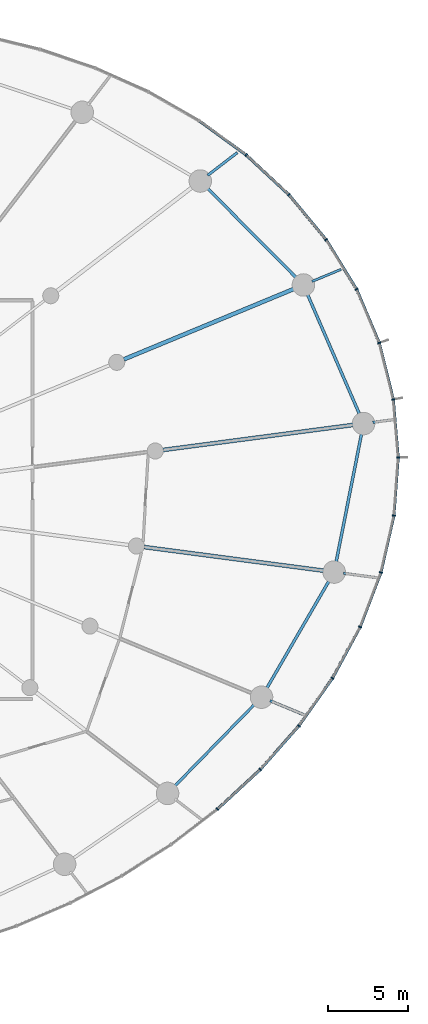
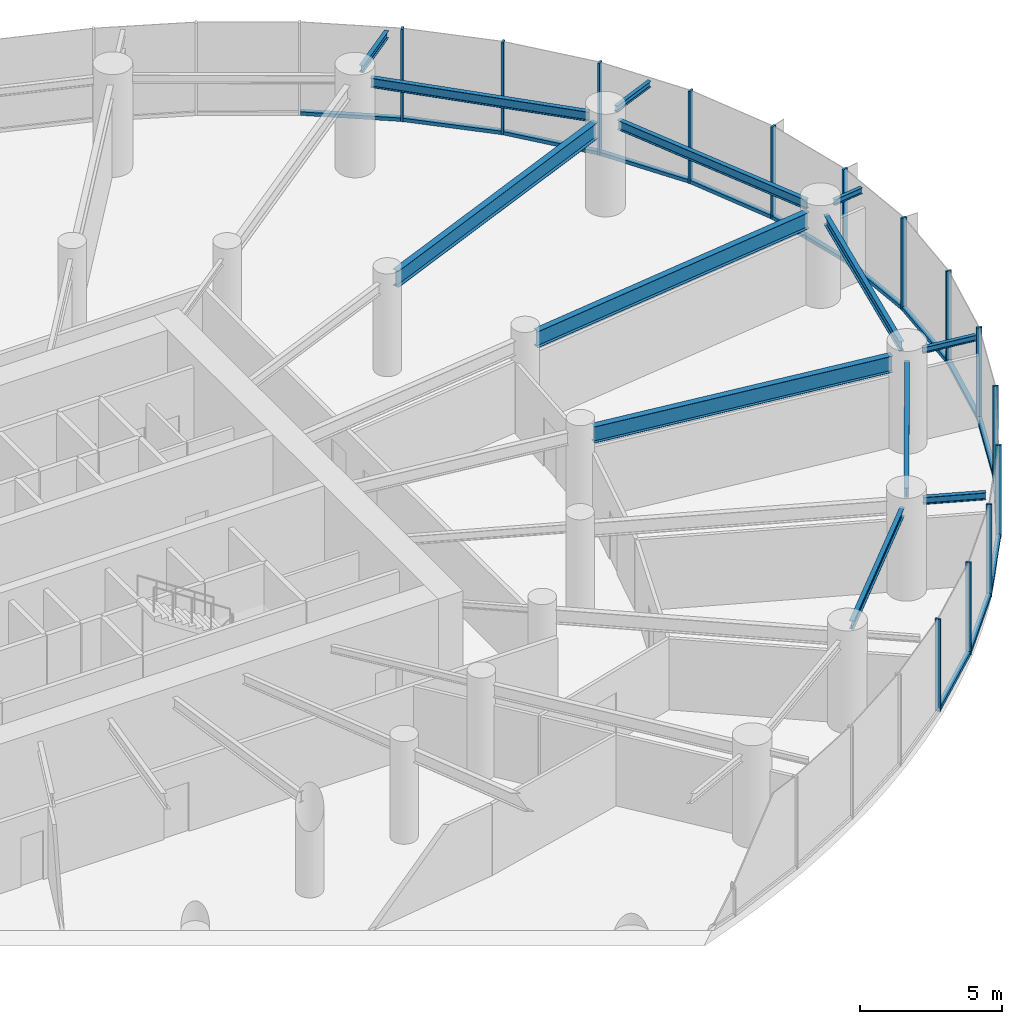
# One storey, part 9 of 19: 28 members, 13 beams, 3 elements without a shape of their own.
"""IFC4 building model written with IfcOpenShell, lengths in metres."""

from ifc_helpers import new_model, si_unit, direction, frame, origin, origin_2d, place, context, subcontext, project, spatial, rectangle, i_section, extrude, source, transform, mapped, material, layer, layer_set, material_profile, profile_set, type_object, element, aggregate, save


model = new_model("IFC4")

# Units and contexts
model_context = context("Model", 3, precision=1e-05, world=origin(), true_north=direction((0.0, 1.0)))
body_context = subcontext(model_context, "Body", "Model", "MODEL_VIEW")
ifc_project = project(units=[si_unit("LENGTHUNIT", "METRE"), si_unit("AREAUNIT", "SQUARE_METRE"), si_unit("VOLUMEUNIT", "CUBIC_METRE"), si_unit("PLANEANGLEUNIT", "RADIAN"), si_unit("MASSUNIT", "GRAM", prefix="KILO")], contexts=[model_context])

# Site, building, storey
site_placement = place(None, origin())
site = spatial("IfcSite", under=ifc_project, at=site_placement, CompositionType="ELEMENT")
building_placement = place(site_placement, origin())
building = spatial("IfcBuilding", under=site, at=building_placement, Name="Spindrift Exchange Tower", CompositionType="ELEMENT")
storey_placement = place(building_placement, frame((0.0, 0.0, 49.0)))
storey = spatial("IfcBuildingStorey", under=building, at=storey_placement, Name="L11", CompositionType="ELEMENT", Elevation=49.0)

# Beams
ifc_material_1 = material(Name="Steel Grade 300", Category="steel")
ifc_material_profile_1 = material_profile(ifc_material_1, i_section(OverallWidth=0.25, OverallDepth=0.699951171875, WebThickness=0.008056640625, FlangeThickness=0.011962890625, at=origin_2d()), Name="700WB115")
ifc_profile_set_1 = profile_set([ifc_material_profile_1], Name="Steel Grade 300")
beam_type_1 = type_object("IfcBeamType", Name="Floor Beam 700WB115 Steel Grade 300", PredefinedType="BEAM", material=ifc_profile_set_1)
shared_shape_1 = source(origin(), body_context, "Body", "SweptSolid", [
    extrude(i_section(OverallWidth=0.25, OverallDepth=0.699951171875, WebThickness=0.008056640625, FlangeThickness=0.011962890625, at=origin_2d()), origin(), (0.0, 0.0, 1.0), 12.00830078125),
])
beam_1_placement = place(storey_placement, frame((75.509765625, 51.09521484375, 3.60009765625), z_axis=(0.991444950947, 0.130525511844, 0.0), x_axis=(-0.130525511844, 0.991444950947, 0.0)))
element("IfcBeam", 1, at=beam_1_placement, inside=storey, type_object=beam_type_1, Name="L11 radial beam R01B", PredefinedType="BEAM", context=body_context, shape_type="MappedRepresentation", body=[
    mapped(shared_shape_1, transform((0.0, 0.0, 0.0), scale=1.0)),
])
shared_shape_2 = source(origin(), body_context, "Body", "SweptSolid", [
    extrude(i_section(OverallWidth=0.25, OverallDepth=0.699951171875, WebThickness=0.008056640625, FlangeThickness=0.011962890625, at=origin_2d()), origin(), (0.0, 0.0, 1.0), 11.505859375),
])
beam_2_placement = place(storey_placement, frame((73.082763671875, 56.73291015625, 3.60009765625), z_axis=(0.923881578419, 0.38267849307, 0.0), x_axis=(-0.38267849307, 0.923881578419, 0.0)))
element("IfcBeam", 2, at=beam_2_placement, inside=storey, type_object=beam_type_1, Name="L11 radial beam R02B", PredefinedType="BEAM", context=body_context, shape_type="MappedRepresentation", body=[
    mapped(shared_shape_2, transform((0.0, 0.0, 0.0), scale=1.0)),
])
shared_shape_3 = source(origin(), body_context, "Body", "SweptSolid", [
    extrude(i_section(OverallWidth=0.25, OverallDepth=0.699951171875, WebThickness=0.008056640625, FlangeThickness=0.011962890625, at=origin_2d()), origin(), (0.0, 0.0, 1.0), 11.34423828125),
])
beam_3_placement = place(storey_placement, frame((74.339111328125, 45.05908203125, 3.60009765625), z_axis=(0.991444770187, -0.130526884848, 0.0), x_axis=(0.130526884848, 0.991444770187, 0.0)))
element("IfcBeam", 3, at=beam_3_placement, inside=storey, type_object=beam_type_1, Name="L11 radial beam R24B", PredefinedType="BEAM", context=body_context, shape_type="MappedRepresentation", body=[
    mapped(shared_shape_3, transform((0.0, 0.0, 0.0), scale=1.0)),
])
ifc_material_profile_2 = material_profile(ifc_material_1, i_section(OverallWidth=0.177978515625, OverallDepth=0.406005859375, WebThickness=0.0078125, FlangeThickness=0.0126953125, FilletRadius=0.013916015625, at=origin_2d()), Name="410UB59.7")
ifc_profile_set_2 = profile_set([ifc_material_profile_2], Name="Steel Grade 300")
beam_type_2 = type_object("IfcBeamType", Name="Edge Beam 410UB59.7 Steel Grade 300", PredefinedType="SPANDREL", material=ifc_profile_set_2)
shared_shape_4 = source(origin(), body_context, "Body", "SweptSolid", [
    extrude(i_section(OverallWidth=0.177978515625, OverallDepth=0.406005859375, WebThickness=0.0078125, FlangeThickness=0.0126953125, FilletRadius=0.013916015625, at=origin_2d()), origin(), (0.0, 0.0, 1.0), 8.23681640625),
])
beam_4_placement = place(storey_placement, frame((87.759521484375, 53.270263671875, 3.7470703125), z_axis=(-0.398186298756, 0.91730456855, 0.0), x_axis=(-0.91730456855, -0.398186298756, 0.0)))
element("IfcBeam", 4, at=beam_4_placement, inside=storey, type_object=beam_type_2, Name="L11 edge beam E01", PredefinedType="SPANDREL", context=body_context, shape_type="MappedRepresentation", body=[
    mapped(shared_shape_4, transform((0.0, 0.0, 0.0), scale=1.0)),
])
shared_shape_5 = source(origin(), body_context, "Body", "SweptSolid", [
    extrude(i_section(OverallWidth=0.177978515625, OverallDepth=0.406005859375, WebThickness=0.0078125, FlangeThickness=0.0126953125, FilletRadius=0.013916015625, at=origin_2d()), origin(), (0.0, 0.0, 1.0), 7.947509765625),
])
beam_5_placement = place(storey_placement, frame((83.840576171875, 61.769775390625, 3.7470703125), z_axis=(-0.704197895271, 0.710003749494, 0.0), x_axis=(-0.710003749494, -0.704197895271, 0.0)))
element("IfcBeam", 5, at=beam_5_placement, inside=storey, type_object=beam_type_2, Name="L11 edge beam E02", PredefinedType="SPANDREL", context=body_context, shape_type="MappedRepresentation", body=[
    mapped(shared_shape_5, transform((0.0, 0.0, 0.0), scale=1.0)),
])
ifc_material_profile_3 = material_profile(ifc_material_1, i_section(OverallWidth=0.172119140625, OverallDepth=0.35888671875, WebThickness=0.008056640625, FlangeThickness=0.012939453125, FilletRadius=0.013916015625, at=origin_2d()), Name="360UB56.7")
ifc_profile_set_3 = profile_set([ifc_material_profile_3], Name="Steel Grade 300")
beam_type_3 = type_object("IfcBeamType", Name="Edge Beam 360UB56.7 Steel Grade 300", PredefinedType="SPANDREL", material=ifc_profile_set_3)
shared_shape_6 = source(origin(), body_context, "Body", "SweptSolid", [
    extrude(i_section(OverallWidth=0.172119140625, OverallDepth=0.35888671875, WebThickness=0.008056640625, FlangeThickness=0.012939453125, FilletRadius=0.013916015625, at=origin_2d()), origin(), (0.0, 0.0, 1.0), 7.2041015625),
])
beam_6_placement = place(storey_placement, frame((76.205810546875, 30.152099609375, 3.7705078125), z_axis=(0.698703626006, 0.715411240481, 0.0), x_axis=(-0.715411240481, 0.698703626006, 0.0)))
element("IfcBeam", 6, at=beam_6_placement, inside=storey, type_object=beam_type_3, Name="L11 edge beam E22", PredefinedType="SPANDREL", context=body_context, shape_type="MappedRepresentation", body=[
    mapped(shared_shape_6, transform((0.0, 0.0, 0.0), scale=1.0)),
])
shared_shape_7 = source(origin(), body_context, "Body", "SweptSolid", [
    extrude(i_section(OverallWidth=0.177978515625, OverallDepth=0.406005859375, WebThickness=0.0078125, FlangeThickness=0.0126953125, FilletRadius=0.013916015625, at=origin_2d()), origin(), (0.0, 0.0, 1.0), 7.837646484375),
])
beam_7_placement = place(storey_placement, frame((81.935791015625, 36.222412109375, 3.7470703125), z_axis=(0.50198145655, 0.864878382942, 0.0), x_axis=(-0.864878382942, 0.50198145655, 0.0)))
element("IfcBeam", 7, at=beam_7_placement, inside=storey, type_object=beam_type_2, Name="L11 edge beam E23", PredefinedType="SPANDREL", context=body_context, shape_type="MappedRepresentation", body=[
    mapped(shared_shape_7, transform((0.0, 0.0, 0.0), scale=1.0)),
])
shared_shape_8 = source(origin(), body_context, "Body", "SweptSolid", [
    extrude(i_section(OverallWidth=0.177978515625, OverallDepth=0.406005859375, WebThickness=0.0078125, FlangeThickness=0.0126953125, FilletRadius=0.013916015625, at=origin_2d()), origin(), (0.0, 0.0, 1.0), 8.2548828125),
])
beam_8_placement = place(storey_placement, frame((86.27392578125, 44.071533203125, 3.7470703125), z_axis=(0.194278723288, 0.9809463684, 0.0), x_axis=(-0.9809463684, 0.194278723288, 0.0)))
element("IfcBeam", 8, at=beam_8_placement, inside=storey, type_object=beam_type_2, Name="L11 edge beam E24", PredefinedType="SPANDREL", context=body_context, shape_type="MappedRepresentation", body=[
    mapped(shared_shape_8, transform((0.0, 0.0, 0.0), scale=1.0)),
])
ifc_material_profile_4 = material_profile(ifc_material_1, i_section(OverallWidth=0.14599609375, OverallDepth=0.251953125, WebThickness=0.006103515625, FlangeThickness=0.008544921875, FilletRadius=0.011962890625, at=origin_2d()), Name="250UB31.4")
ifc_profile_set_4 = profile_set([ifc_material_profile_4], Name="Steel Grade 300")
beam_type_4 = type_object("IfcBeamType", Name="Cantilever Beam 250UB31.4 Steel Grade 300", PredefinedType="BEAM", material=ifc_profile_set_4)
shared_shape_9 = source(origin(), body_context, "Body", "SweptSolid", [
    extrude(i_section(OverallWidth=0.14599609375, OverallDepth=0.251953125, WebThickness=0.006103515625, FlangeThickness=0.008544921875, FilletRadius=0.011962890625, at=origin_2d()), origin(), (0.0, 0.0, 1.0), 1.224365234375),
])
beam_9_placement = place(storey_placement, frame((88.5654296875, 52.81396484375, 3.823974609375), z_axis=(0.991459724463, 0.130413246138, 0.0), x_axis=(-0.130413246138, 0.991459724463, 0.0)))
element("IfcBeam", 9, at=beam_9_placement, inside=storey, type_object=beam_type_4, Name="L11 cantilever beam R01T", PredefinedType="BEAM", context=body_context, shape_type="MappedRepresentation", body=[
    mapped(shared_shape_9, transform((0.0, 0.0, 0.0), scale=1.0)),
])
shared_shape_10 = source(origin(), body_context, "Body", "SweptSolid", [
    extrude(i_section(OverallWidth=0.14599609375, OverallDepth=0.251953125, WebThickness=0.006103515625, FlangeThickness=0.008544921875, FilletRadius=0.011962890625, at=origin_2d()), origin(), (0.0, 0.0, 1.0), 1.96728515625),
])
beam_10_placement = place(storey_placement, frame((84.78466796875, 61.579833984375, 3.823974609375), z_axis=(0.923871633856, 0.382702500848, 0.0), x_axis=(-0.382702500848, 0.923871633856, 0.0)))
element("IfcBeam", 10, at=beam_10_placement, inside=storey, type_object=beam_type_4, Name="L11 cantilever beam R02T", PredefinedType="BEAM", context=body_context, shape_type="MappedRepresentation", body=[
    mapped(shared_shape_10, transform((0.0, 0.0, 0.0), scale=1.0)),
])
ifc_material_profile_5 = material_profile(ifc_material_1, i_section(OverallWidth=0.1650390625, OverallDepth=0.303955078125, WebThickness=0.006103515625, FlangeThickness=0.01025390625, FilletRadius=0.011474609375, at=origin_2d()), Name="310UB40.4")
ifc_profile_set_5 = profile_set([ifc_material_profile_5], Name="Steel Grade 300")
beam_type_5 = type_object("IfcBeamType", Name="Cantilever Beam 310UB40.4 Steel Grade 300", PredefinedType="BEAM", material=ifc_profile_set_5)
shared_shape_11 = source(origin(), body_context, "Body", "SweptSolid", [
    extrude(i_section(OverallWidth=0.1650390625, OverallDepth=0.303955078125, WebThickness=0.006103515625, FlangeThickness=0.01025390625, FilletRadius=0.011474609375, at=origin_2d()), origin(), (0.0, 0.0, 1.0), 2.33251953125),
])
beam_11_placement = place(storey_placement, frame((78.295654296875, 68.177490234375, 3.798095703125), z_axis=(0.793370454613, 0.608739124542, 0.0), x_axis=(-0.608739124542, 0.793370454613, 0.0)))
element("IfcBeam", 11, at=beam_11_placement, inside=storey, type_object=beam_type_5, Name="L11 cantilever beam R03T", PredefinedType="BEAM", context=body_context, shape_type="MappedRepresentation", body=[
    mapped(shared_shape_11, transform((0.0, 0.0, 0.0), scale=1.0)),
])
shared_shape_12 = source(origin(), body_context, "Body", "SweptSolid", [
    extrude(i_section(OverallWidth=0.1650390625, OverallDepth=0.303955078125, WebThickness=0.006103515625, FlangeThickness=0.01025390625, FilletRadius=0.011474609375, at=origin_2d()), origin(), (0.0, 0.0, 1.0), 2.22412109375),
])
beam_12_placement = place(storey_placement, frame((82.180419921875, 35.498779296875, 3.798095703125), z_axis=(0.923896434598, -0.38264262457, 0.0), x_axis=(0.38264262457, 0.923896434598, 0.0)))
element("IfcBeam", 12, at=beam_12_placement, inside=storey, type_object=beam_type_5, Name="L11 cantilever beam R23T", PredefinedType="BEAM", context=body_context, shape_type="MappedRepresentation", body=[
    mapped(shared_shape_12, transform((0.0, 0.0, 0.0), scale=1.0)),
])
shared_shape_13 = source(origin(), body_context, "Body", "SweptSolid", [
    extrude(i_section(OverallWidth=0.14599609375, OverallDepth=0.251953125, WebThickness=0.006103515625, FlangeThickness=0.008544921875, FilletRadius=0.011962890625, at=origin_2d()), origin(), (0.0, 0.0, 1.0), 2.016845703125),
])
beam_13_placement = place(storey_placement, frame((86.736083984375, 43.427001953125, 3.823974609375), z_axis=(0.991448526078, -0.130498353005, 0.0), x_axis=(0.130498353005, 0.991448526078, 0.0)))
element("IfcBeam", 13, at=beam_13_placement, inside=storey, type_object=beam_type_4, Name="L11 cantilever beam R24T", PredefinedType="BEAM", context=body_context, shape_type="MappedRepresentation", body=[
    mapped(shared_shape_13, transform((0.0, 0.0, 0.0), scale=1.0)),
])

# Curtain wall, members
ifc_material_2 = material(Name="Fritted laminated glass with bronze frame", Category="glass")
ifc_layer = layer(ifc_material_2, 0.199951171875)
ifc_layer_set = layer_set([ifc_layer], Name="ZONE 1 BRONZE FRITTED WALL")
curtain_wall_type = type_object("IfcCurtainWallType", Name="ZONE 1 BRONZE FRITTED WALL", PredefinedType="NOTDEFINED", material=ifc_layer_set)
curtain_wall_1_placement = place(storey_placement, origin())
curtain_wall_1 = element("IfcCurtainWall", 14, at=curtain_wall_1_placement, inside=storey, type_object=curtain_wall_type, Name="L11 Zone 1 Bronze Fritted Wall run 1", PredefinedType="NOTDEFINED")
ifc_material_3 = material(Name="Bronze anodised aluminium", Category="aluminium")
ifc_material_profile_6 = material_profile(ifc_material_3, rectangle(XDim=0.080078125, YDim=0.199951171875, at=origin_2d()), Name="ZONE 1 BRONZE FRITTED WALL MULLION 80X200")
ifc_profile_set_6 = profile_set([ifc_material_profile_6], Name="Bronze anodised aluminium")
member_type_1 = type_object("IfcMemberType", Name="ZONE 1 BRONZE FRITTED WALL MULLION 80X200", PredefinedType="MULLION", material=ifc_profile_set_6)
shared_shape_14 = source(origin(), body_context, "Body", "SweptSolid", [
    extrude(rectangle(XDim=0.080078125, YDim=0.199951171875, at=origin_2d()), origin(), (0.0, 0.0, 1.0), 3.949951171875),
])
member_1_placement = place(storey_placement, frame((89.839111328125, 54.239501953125, 0.0), z_axis=(0.0, 0.0, 1.0), x_axis=(-0.162695137621, 0.986676386762, 0.0)))
member_1 = element("IfcMember", 15, at=member_1_placement, type_object=member_type_1, Name="L11 mullion CW-1.1", PredefinedType="MULLION", context=body_context, shape_type="MappedRepresentation", body=[
    mapped(shared_shape_14, transform((0.0, 0.0, 0.0), scale=1.0)),
])
member_2_placement = place(storey_placement, frame((88.96630859375, 57.757080078125, 0.0), z_axis=(0.0, 0.0, 1.0), x_axis=(-0.316171208806, 0.948702148581, 0.0)))
member_2 = element("IfcMember", 16, at=member_2_placement, type_object=member_type_1, Name="L11 mullion CW-1.2", PredefinedType="MULLION", context=body_context, shape_type="MappedRepresentation", body=[
    mapped(shared_shape_14, transform((0.0, 0.0, 0.0), scale=1.0)),
])
member_3_placement = place(storey_placement, frame((87.55419921875, 61.095458984375, 0.0), z_axis=(0.0, 0.0, 1.0), x_axis=(-0.457742399922, 0.889084863955, 0.0)))
member_3 = element("IfcMember", 17, at=member_3_placement, type_object=member_type_1, Name="L11 mullion CW-1.3", PredefinedType="MULLION", context=body_context, shape_type="MappedRepresentation", body=[
    mapped(shared_shape_14, transform((0.0, 0.0, 0.0), scale=1.0)),
])
member_4_placement = place(storey_placement, frame((85.6572265625, 64.1845703125, 0.0), z_axis=(0.0, 0.0, 1.0), x_axis=(-0.581951535292, 0.813223469024, 0.0)))
member_4 = element("IfcMember", 18, at=member_4_placement, type_object=member_type_1, Name="L11 mullion CW-1.4", PredefinedType="MULLION", context=body_context, shape_type="MappedRepresentation", body=[
    mapped(shared_shape_14, transform((0.0, 0.0, 0.0), scale=1.0)),
])
member_5_placement = place(storey_placement, frame((83.34521484375, 66.976806640625, 0.0), z_axis=(0.0, 0.0, 1.0), x_axis=(-0.68648905038, 0.727140140351, 0.0)))
member_5 = element("IfcMember", 19, at=member_5_placement, type_object=member_type_1, Name="L11 mullion CW-1.5", PredefinedType="MULLION", context=body_context, shape_type="MappedRepresentation", body=[
    mapped(shared_shape_14, transform((0.0, 0.0, 0.0), scale=1.0)),
])
member_6_placement = place(storey_placement, frame((80.68994140625, 69.446044921875, 0.0), z_axis=(0.0, 0.0, 1.0), x_axis=(-0.771625539018, 0.636077061004, 0.0)))
member_6 = element("IfcMember", 20, at=member_6_placement, type_object=member_type_1, Name="L11 mullion CW-1.6", PredefinedType="MULLION", context=body_context, shape_type="MappedRepresentation", body=[
    mapped(shared_shape_14, transform((0.0, 0.0, 0.0), scale=1.0)),
])

curtain_wall_2_placement = place(storey_placement, origin())
curtain_wall_2 = element("IfcCurtainWall", 21, at=curtain_wall_2_placement, inside=storey, type_object=curtain_wall_type, Name="L11 Zone 1 Bronze Fritted Wall run 9", PredefinedType="NOTDEFINED")
member_7_placement = place(storey_placement, frame((78.90283203125, 28.756591796875, 0.0), z_axis=(0.0, 0.0, 1.0), x_axis=(0.764984647276, 0.644048514813, 0.0)))
member_7 = element("IfcMember", 22, at=member_7_placement, type_object=member_type_1, Name="L11 mullion CW-1.52", PredefinedType="MULLION", context=body_context, shape_type="MappedRepresentation", body=[
    mapped(shared_shape_14, transform((0.0, 0.0, 0.0), scale=1.0)),
])
member_8_placement = place(storey_placement, frame((81.565185546875, 31.219482421875, 0.0), z_axis=(0.0, 0.0, 1.0), x_axis=(0.699004651499, 0.715117121304, 0.0)))
member_8 = element("IfcMember", 23, at=member_8_placement, type_object=member_type_1, Name="L11 mullion CW-1.53", PredefinedType="MULLION", context=body_context, shape_type="MappedRepresentation", body=[
    mapped(shared_shape_14, transform((0.0, 0.0, 0.0), scale=1.0)),
])
member_9_placement = place(storey_placement, frame((83.966552734375, 33.93701171875, 0.0), z_axis=(0.0, 0.0, 1.0), x_axis=(0.620163361593, 0.784472692283, 0.0)))
member_9 = element("IfcMember", 24, at=member_9_placement, type_object=member_type_1, Name="L11 mullion CW-1.54", PredefinedType="MULLION", context=body_context, shape_type="MappedRepresentation", body=[
    mapped(shared_shape_14, transform((0.0, 0.0, 0.0), scale=1.0)),
])

curtain_wall_3_placement = place(storey_placement, origin())
curtain_wall_3 = element("IfcCurtainWall", 25, at=curtain_wall_3_placement, inside=storey, type_object=curtain_wall_type, Name="L11 Zone 1 Bronze Fritted Wall run 10", PredefinedType="NOTDEFINED")
member_10_placement = place(storey_placement, frame((86.056396484375, 36.900390625, 0.0), z_axis=(0.0, 0.0, 1.0), x_axis=(0.52656088811, 0.850137418958, 0.0)))
member_10 = element("IfcMember", 26, at=member_10_placement, type_object=member_type_1, Name="L11 mullion CW-1.55", PredefinedType="MULLION", context=body_context, shape_type="MappedRepresentation", body=[
    mapped(shared_shape_14, transform((0.0, 0.0, 0.0), scale=1.0)),
])
member_11_placement = place(storey_placement, frame((87.7783203125, 40.09130859375, 0.0), z_axis=(0.0, 0.0, 1.0), x_axis=(0.416682373115, 0.909052143683, 0.0)))
member_11 = element("IfcMember", 27, at=member_11_placement, type_object=member_type_1, Name="L11 mullion CW-1.56", PredefinedType="MULLION", context=body_context, shape_type="MappedRepresentation", body=[
    mapped(shared_shape_14, transform((0.0, 0.0, 0.0), scale=1.0)),
])
member_12_placement = place(storey_placement, frame((89.071533203125, 43.478271484375, 0.0), z_axis=(0.0, 0.0, 1.0), x_axis=(0.290051537148, 0.957011026999, 0.0)))
member_12 = element("IfcMember", 28, at=member_12_placement, type_object=member_type_1, Name="L11 mullion CW-1.57", PredefinedType="MULLION", context=body_context, shape_type="MappedRepresentation", body=[
    mapped(shared_shape_14, transform((0.0, 0.0, 0.0), scale=1.0)),
])
member_13_placement = place(storey_placement, frame((89.876220703125, 47.012939453125, 0.0), z_axis=(0.0, 0.0, 1.0), x_axis=(0.148063772514, 0.988977815357, 0.0)))
member_13 = element("IfcMember", 29, at=member_13_placement, type_object=member_type_1, Name="L11 mullion CW-1.58", PredefinedType="MULLION", context=body_context, shape_type="MappedRepresentation", body=[
    mapped(shared_shape_14, transform((0.0, 0.0, 0.0), scale=1.0)),
])
member_14_placement = place(storey_placement, frame((90.14208984375, 50.627685546875, 0.0), z_axis=(0.0, 0.0, 1.0), x_axis=(-0.005149513533, 0.999986741167, 0.0)))
member_14 = element("IfcMember", 30, at=member_14_placement, type_object=member_type_1, Name="L11 mullion CW-1.59", PredefinedType="MULLION", context=body_context, shape_type="MappedRepresentation", body=[
    mapped(shared_shape_14, transform((0.0, 0.0, 0.0), scale=1.0)),
])
ifc_material_profile_7 = material_profile(ifc_material_3, rectangle(XDim=0.179931640625, YDim=0.14990234375, at=origin_2d()), Name="ZONE 1 BRONZE FRITTED WALL TRANSOM 180X150")
ifc_profile_set_7 = profile_set([ifc_material_profile_7], Name="Bronze anodised aluminium")
member_type_2 = type_object("IfcMemberType", Name="ZONE 1 BRONZE FRITTED WALL TRANSOM 180X150", PredefinedType="USERDEFINED", material=ifc_profile_set_7)
shared_shape_15 = source(origin(), body_context, "Body", "SweptSolid", [
    extrude(rectangle(XDim=0.179931640625, YDim=0.14990234375, at=origin_2d()), origin(), (0.0, 0.0, 1.0), 3.54443359375),
])
member_15_placement = place(storey_placement, frame((90.138671875, 50.66748046875, 0.074951171875), z_axis=(-0.083621213942, 0.996497612932, 0.0), x_axis=(-0.996497612932, -0.083621213942, 0.0)))
member_15 = element("IfcMember", 31, at=member_15_placement, type_object=member_type_2, Name="L11 transom CW-1.59", ObjectType="TRANSOM", PredefinedType="USERDEFINED", context=body_context, shape_type="MappedRepresentation", body=[
    mapped(shared_shape_15, transform((0.0, 0.0, 0.0), scale=1.0)),
])

# Member
shared_shape_16 = source(origin(), body_context, "Body", "SweptSolid", [
    extrude(rectangle(XDim=0.179931640625, YDim=0.14990234375, at=origin_2d()), origin(), (0.0, 0.0, 1.0), 3.544921875),
])
member_16_placement = place(storey_placement, frame((88.950927734375, 57.7939453125, 0.074951171875), z_axis=(-0.389675938616, 0.920952041565, 0.0), x_axis=(-0.920952041565, -0.389675938616, 0.0)))
member_16 = element("IfcMember", 32, at=member_16_placement, type_object=member_type_2, Name="L11 transom CW-1.2", ObjectType="TRANSOM", PredefinedType="USERDEFINED", context=body_context, shape_type="MappedRepresentation", body=[
    mapped(shared_shape_16, transform((0.0, 0.0, 0.0), scale=1.0)),
])

member_17_placement = place(storey_placement, frame((89.08056640625, 43.517333984375, 0.074951171875), z_axis=(0.221966384297, 0.975054318611, 0.0), x_axis=(-0.975054318611, 0.221966384297, 0.0)))
member_17 = element("IfcMember", 33, at=member_17_placement, type_object=member_type_2, Name="L11 transom CW-1.57", ObjectType="TRANSOM", PredefinedType="USERDEFINED", context=body_context, shape_type="MappedRepresentation", body=[
    mapped(shared_shape_16, transform((0.0, 0.0, 0.0), scale=1.0)),
])

shared_shape_17 = source(origin(), body_context, "Body", "SweptSolid", [
    extrude(rectangle(XDim=0.179931640625, YDim=0.14990234375, at=origin_2d()), origin(), (0.0, 0.0, 1.0), 3.54638671875),
])
member_18_placement = place(storey_placement, frame((80.657470703125, 69.469482421875, 0.074951171875), z_axis=(-0.808161129115, 0.588961449832, 0.0), x_axis=(-0.588961449832, -0.808161129115, 0.0)))
member_18 = element("IfcMember", 34, at=member_18_placement, type_object=member_type_2, Name="L11 transom CW-1.6", ObjectType="TRANSOM", PredefinedType="USERDEFINED", context=body_context, shape_type="MappedRepresentation", body=[
    mapped(shared_shape_17, transform((0.0, 0.0, 0.0), scale=1.0)),
])

member_19_placement = place(storey_placement, frame((83.989501953125, 33.9697265625, 0.074951171875), z_axis=(0.576337191842, 0.817211992876, 0.0), x_axis=(-0.817211992876, 0.576337191842, 0.0)))
member_19 = element("IfcMember", 35, at=member_19_placement, type_object=member_type_2, Name="L11 transom CW-1.54", ObjectType="TRANSOM", PredefinedType="USERDEFINED", context=body_context, shape_type="MappedRepresentation", body=[
    mapped(shared_shape_17, transform((0.0, 0.0, 0.0), scale=1.0)),
])

shared_shape_18 = source(origin(), body_context, "Body", "SweptSolid", [
    extrude(rectangle(XDim=0.179931640625, YDim=0.14990234375, at=origin_2d()), origin(), (0.0, 0.0, 1.0), 3.545166015625),
])
member_20_placement = place(storey_placement, frame((87.533203125, 61.12939453125, 0.074951171875), z_axis=(-0.523259523739, 0.852173380725, 0.0), x_axis=(-0.852173380725, -0.523259523739, 0.0)))
member_20 = element("IfcMember", 36, at=member_20_placement, type_object=member_type_2, Name="L11 transom CW-1.3", ObjectType="TRANSOM", PredefinedType="USERDEFINED", context=body_context, shape_type="MappedRepresentation", body=[
    mapped(shared_shape_18, transform((0.0, 0.0, 0.0), scale=1.0)),
])

shared_shape_19 = source(origin(), body_context, "Body", "SweptSolid", [
    extrude(rectangle(XDim=0.179931640625, YDim=0.14990234375, at=origin_2d()), origin(), (0.0, 0.0, 1.0), 3.546630859375),
])
member_21_placement = place(storey_placement, frame((78.93212890625, 28.783935546875, 0.074951171875), z_axis=(0.734138041387, 0.679000247561, 0.0), x_axis=(-0.679000247561, 0.734138041387, 0.0)))
member_21 = element("IfcMember", 37, at=member_21_placement, type_object=member_type_2, Name="L11 transom CW-1.52", ObjectType="TRANSOM", PredefinedType="USERDEFINED", context=body_context, shape_type="MappedRepresentation", body=[
    mapped(shared_shape_19, transform((0.0, 0.0, 0.0), scale=1.0)),
])

member_22_placement = place(storey_placement, frame((81.591796875, 31.249267578125, 0.074951171875), z_axis=(0.662079135973, 0.749433931517, 0.0), x_axis=(-0.749433931517, 0.662079135973, 0.0)))
member_22 = element("IfcMember", 38, at=member_22_placement, type_object=member_type_2, Name="L11 transom CW-1.53", ObjectType="TRANSOM", PredefinedType="USERDEFINED", context=body_context, shape_type="MappedRepresentation", body=[
    mapped(shared_shape_19, transform((0.0, 0.0, 0.0), scale=1.0)),
])

aggregate(curtain_wall_2, [member_7, member_21, member_8, member_22, member_9, member_19])

shared_shape_20 = source(origin(), body_context, "Body", "SweptSolid", [
    extrude(rectangle(XDim=0.179931640625, YDim=0.14990234375, at=origin_2d()), origin(), (0.0, 0.0, 1.0), 3.5458984375),
])
member_23_placement = place(storey_placement, frame((83.31591796875, 67.004150390625, 0.074951171875), z_axis=(-0.732322473593, 0.680957997728, 0.0), x_axis=(-0.680957997728, -0.732322473593, 0.0)))
member_23 = element("IfcMember", 39, at=member_23_placement, type_object=member_type_2, Name="L11 transom CW-1.5", ObjectType="TRANSOM", PredefinedType="USERDEFINED", context=body_context, shape_type="MappedRepresentation", body=[
    mapped(shared_shape_20, transform((0.0, 0.0, 0.0), scale=1.0)),
])

member_24_placement = place(storey_placement, frame((86.075439453125, 36.935791015625, 0.074951171875), z_axis=(0.474949528852, 0.88001303686, 0.0), x_axis=(-0.88001303686, 0.474949528852, 0.0)))
member_24 = element("IfcMember", 40, at=member_24_placement, type_object=member_type_2, Name="L11 transom CW-1.55", ObjectType="TRANSOM", PredefinedType="USERDEFINED", context=body_context, shape_type="MappedRepresentation", body=[
    mapped(shared_shape_20, transform((0.0, 0.0, 0.0), scale=1.0)),
])

shared_shape_21 = source(origin(), body_context, "Body", "SweptSolid", [
    extrude(rectangle(XDim=0.179931640625, YDim=0.14990234375, at=origin_2d()), origin(), (0.0, 0.0, 1.0), 3.544189453125),
])
member_25_placement = place(storey_placement, frame((89.829345703125, 54.2783203125, 0.074951171875), z_axis=(-0.24075231521, 0.970586586926, 0.0), x_axis=(-0.970586586926, -0.24075231521, 0.0)))
member_25 = element("IfcMember", 41, at=member_25_placement, type_object=member_type_2, Name="L11 transom CW-1.1", ObjectType="TRANSOM", PredefinedType="USERDEFINED", context=body_context, shape_type="MappedRepresentation", body=[
    mapped(shared_shape_21, transform((0.0, 0.0, 0.0), scale=1.0)),
])

shared_shape_22 = source(origin(), body_context, "Body", "SweptSolid", [
    extrude(rectangle(XDim=0.179931640625, YDim=0.14990234375, at=origin_2d()), origin(), (0.0, 0.0, 1.0), 3.544677734375),
])
member_26_placement = place(storey_placement, frame((89.879150390625, 47.052734375, 0.074951171875), z_axis=(0.073351591362, 0.997306143591, 0.0), x_axis=(-0.997306143591, 0.073351591362, 0.0)))
member_26 = element("IfcMember", 42, at=member_26_placement, type_object=member_type_2, Name="L11 transom CW-1.58", ObjectType="TRANSOM", PredefinedType="USERDEFINED", context=body_context, shape_type="MappedRepresentation", body=[
    mapped(shared_shape_22, transform((0.0, 0.0, 0.0), scale=1.0)),
])

shared_shape_23 = source(origin(), body_context, "Body", "SweptSolid", [
    extrude(rectangle(XDim=0.179931640625, YDim=0.14990234375, at=origin_2d()), origin(), (0.0, 0.0, 1.0), 3.54541015625),
])
member_27_placement = place(storey_placement, frame((85.6318359375, 64.21533203125, 0.074951171875), z_axis=(-0.63779035571, 0.770210011727, 0.0), x_axis=(-0.770210011727, -0.63779035571, 0.0)))
member_27 = element("IfcMember", 43, at=member_27_placement, type_object=member_type_2, Name="L11 transom CW-1.4", ObjectType="TRANSOM", PredefinedType="USERDEFINED", context=body_context, shape_type="MappedRepresentation", body=[
    mapped(shared_shape_23, transform((0.0, 0.0, 0.0), scale=1.0)),
])

aggregate(curtain_wall_1, [member_1, member_25, member_2, member_16, member_3, member_20, member_4, member_27, member_5, member_23, member_6, member_18])

member_28_placement = place(storey_placement, frame((87.792724609375, 40.128662109375, 0.074951171875), z_axis=(0.356693916735, 0.934221306631, 0.0), x_axis=(-0.934221306631, 0.356693916735, 0.0)))
member_28 = element("IfcMember", 44, at=member_28_placement, type_object=member_type_2, Name="L11 transom CW-1.56", ObjectType="TRANSOM", PredefinedType="USERDEFINED", context=body_context, shape_type="MappedRepresentation", body=[
    mapped(shared_shape_23, transform((0.0, 0.0, 0.0), scale=1.0)),
])

aggregate(curtain_wall_3, [member_10, member_24, member_11, member_28, member_12, member_17, member_13, member_26, member_14, member_15])

save(model, "model.ifc")
